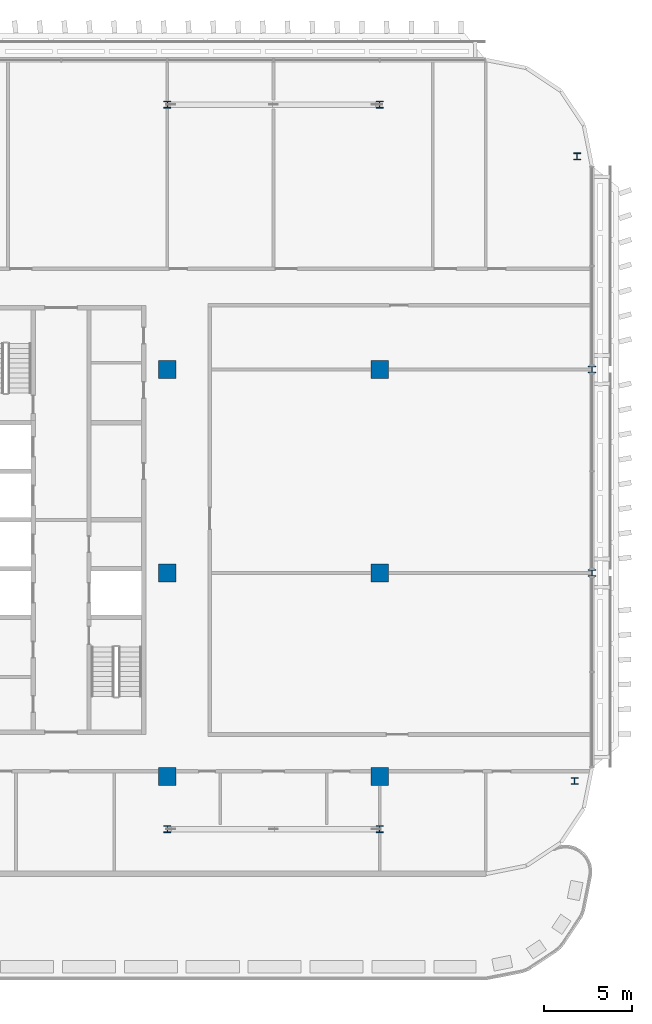
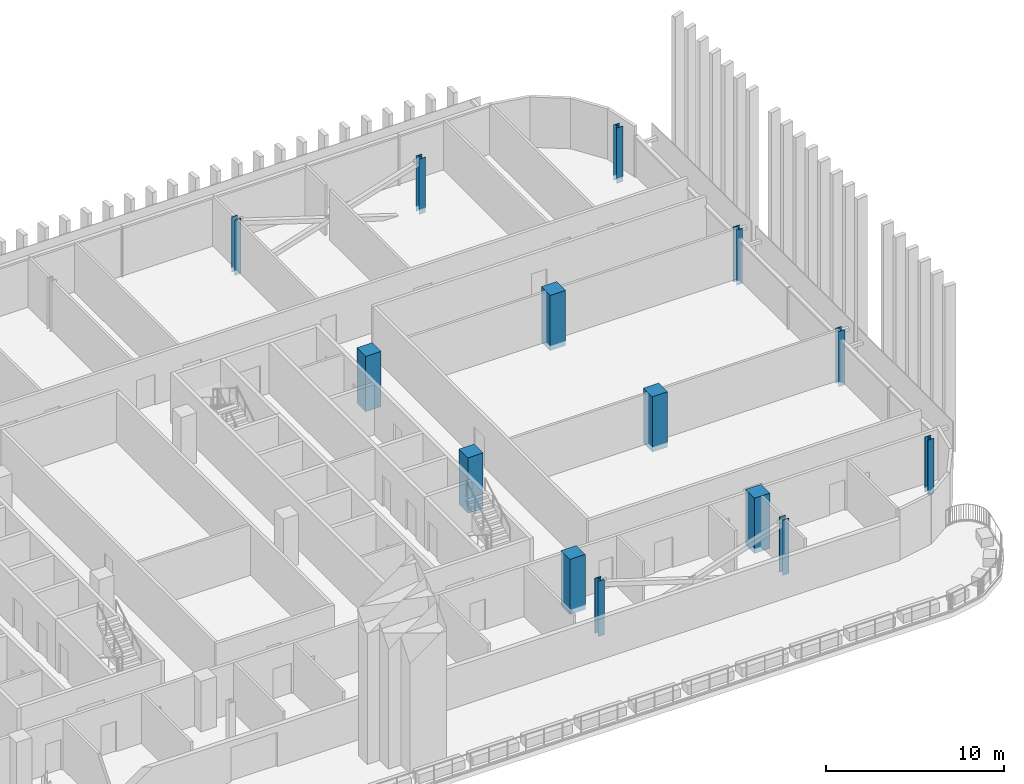
# One storey, part 3 of 30: 14 columns.
"""IFC4 building model written with IfcOpenShell, lengths in metres."""

from ifc_helpers import new_model, si_unit, direction, frame, origin, origin_2d, place, context, subcontext, project, spatial, rectangle, i_section, extrude, material, material_profile, profile_set, type_object, element, save


model = new_model("IFC4")

# Units and contexts
model_context = context("Model", 3, precision=1e-05, world=origin(), true_north=direction((0.0, 1.0)))
body_context = subcontext(model_context, "Body", "Model", "MODEL_VIEW")
ifc_project = project(units=[si_unit("LENGTHUNIT", "METRE"), si_unit("AREAUNIT", "SQUARE_METRE"), si_unit("VOLUMEUNIT", "CUBIC_METRE"), si_unit("PLANEANGLEUNIT", "RADIAN"), si_unit("MASSUNIT", "GRAM", prefix="KILO")], contexts=[model_context])

# Site, building, storey
site_placement = place(None, origin())
site = spatial("IfcSite", under=ifc_project, at=site_placement, CompositionType="ELEMENT")
building_placement = place(site_placement, origin())
building = spatial("IfcBuilding", under=site, at=building_placement, Name="Mahtab Terrace Research Tower", CompositionType="ELEMENT")
storey_placement = place(building_placement, frame((0.0, 0.0, 228.60009765625)))
storey = spatial("IfcBuildingStorey", under=building, at=storey_placement, Name="L55", CompositionType="ELEMENT", Elevation=228.60009765625)

# Columns
ifc_material_1 = material(Name="Concrete C70/85", Category="concrete")
ifc_material_profile_1 = material_profile(ifc_material_1, rectangle(XDim=1.0, YDim=1.0, at=origin_2d()), Name="RC column 1000x1000")
ifc_profile_set_1 = profile_set([ifc_material_profile_1], Name="Concrete C70/85")
column_type_1 = type_object("IfcColumnType", Name="RC column 1000x1000", PredefinedType="COLUMN", material=ifc_profile_set_1)
for number, where, z_axis, x_axis, name in (
    (1, (30.0, -11.5, -0.340087890625), (0.0, 0.0, 1.0), (1.0, 0.0, 0.0), "Column RC-7A L55"),
    (2, (30.0, 0.0, -0.340087890625), (0.0, 0.0, 1.0), (1.0, 0.0, 0.0), "Column RC-7B L55"),
    (3, (30.0, 11.5, -0.340087890625), (0.0, 0.0, 1.0), (1.0, 0.0, 0.0), "Column RC-7C L55"),
    (4, (42.0, -11.5, -0.340087890625), (0.0, 0.0, 1.0), (1.0, 0.0, 0.0), "Column RC-8A L55"),
    (5, (42.0, 0.0, -0.340087890625), (0.0, 0.0, 1.0), (1.0, 0.0, 0.0), "Column RC-8B L55"),
    (6, (42.0, 11.5, -0.340087890625), (0.0, 0.0, 1.0), (1.0, 0.0, 0.0), "Column RC-8C L55"),
):
    element("IfcColumn", number, at=place(storey_placement, frame(where, z_axis=z_axis, x_axis=x_axis)), inside=storey, type_object=column_type_1, Name=name, PredefinedType="COLUMN", context=body_context, shape_type="SweptSolid", body=[
        extrude(rectangle(XDim=1.0, YDim=1.0, at=origin_2d()), origin(), (0.0, 0.0, 1.0), 3.800048828125),
    ])
ifc_material_2 = material(Name="Steel ASTM A992 Gr 50", Category="steel")
ifc_material_profile_2 = material_profile(ifc_material_2, i_section(OverallWidth=0.398681640625, OverallDepth=0.385986328125, WebThickness=0.02099609375, FlangeThickness=0.033203125, at=origin_2d()), Name="W14X176")
ifc_profile_set_2 = profile_set([ifc_material_profile_2], Name="Steel ASTM A992 Gr 50")
column_type_2 = type_object("IfcColumnType", Name="W14x176 column CS14176", PredefinedType="COLUMN", material=ifc_profile_set_2)
for number, where, z_axis, x_axis, name in (
    (7, (53.154052734375, 23.5458984375, -0.340087890625), (0.0, 0.0, 1.0), (1.0, 0.0, 0.0), "Column SC-052 L55"),
    (8, (42.0, 26.472900390625, -0.340087890625), (0.0, 0.0, 1.0), (1.0, 0.0, 0.0), "Column SC-053 L55"),
    (9, (30.0, 26.472900390625, -0.340087890625), (0.0, 0.0, 1.0), (1.0, 0.0, 0.0), "Column SC-054 L55"),
    (10, (30.0, -14.472900390625, -0.340087890625), (0.0, 0.0, 1.0), (1.0, 0.0, 0.0), "Column SC-067 L55"),
    (11, (42.0, -14.472900390625, -0.340087890625), (0.0, 0.0, 1.0), (1.0, 0.0, 0.0), "Column SC-068 L55"),
    (12, (53.02099609375, -11.758056640625, -0.340087890625), (0.0, 0.0, 1.0), (1.0, 0.0, 0.0), "Column SC-069 L55"),
    (13, (54.0, 0.0, -0.340087890625), (0.0, 0.0, 1.0), (1.0, 0.0, 0.0), "Column SC-028 L55"),
    (14, (54.0, 11.5, -0.340087890625), (0.0, 0.0, 1.0), (1.0, 0.0, 0.0), "Column SC-029 L55"),
):
    element("IfcColumn", number, at=place(storey_placement, frame(where, z_axis=z_axis, x_axis=x_axis)), inside=storey, type_object=column_type_2, Name=name, PredefinedType="COLUMN", context=body_context, shape_type="SweptSolid", body=[
        extrude(i_section(OverallWidth=0.398681640625, OverallDepth=0.385986328125, WebThickness=0.02099609375, FlangeThickness=0.033203125, at=origin_2d()), origin(), (0.0, 0.0, 1.0), 3.800048828125),
    ])

save(model, "model.ifc")
